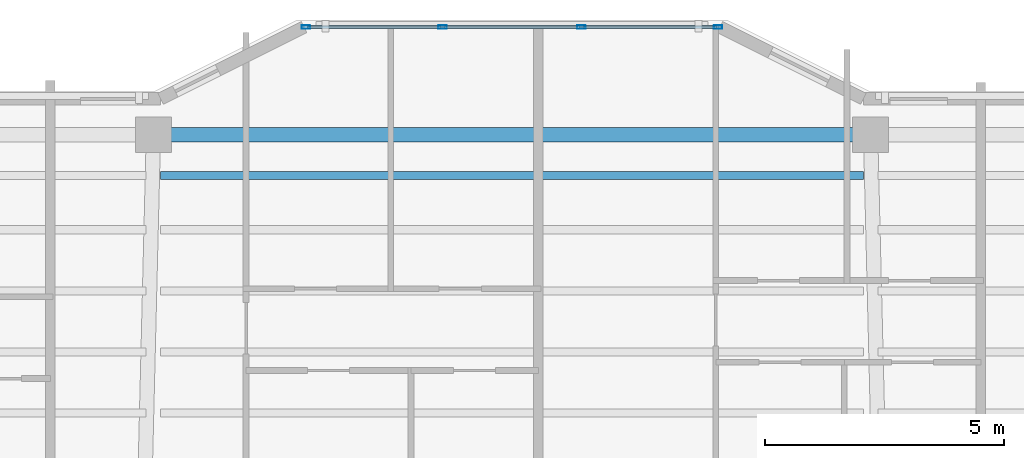
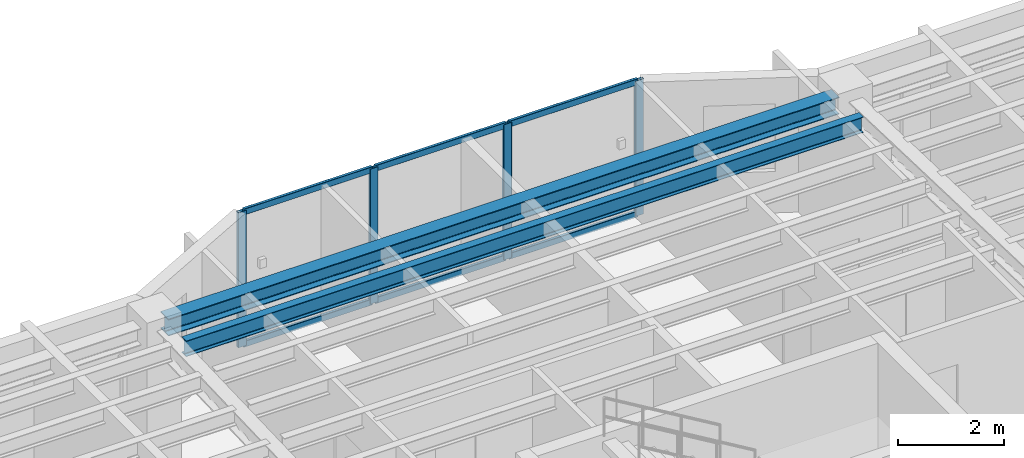
# One storey, part 2 of 12: 10 members, 2 beams, 1 element without a shape of its own.
"""IFC4 building model written with IfcOpenShell, lengths in metres."""

from ifc_helpers import new_model, si_unit, direction, frame, origin, origin_2d, place, context, subcontext, project, spatial, hollow_rectangle, i_section, extrude, material, layer, layer_set, material_profile, profile_set, type_object, element, aggregate, save


model = new_model("IFC4")

# Units and contexts
model_context = context("Model", 3, precision=1e-05, world=origin(), true_north=direction((0.0, 1.0)))
body_context = subcontext(model_context, "Body", "Model", "MODEL_VIEW")
ifc_project = project(units=[si_unit("LENGTHUNIT", "METRE"), si_unit("AREAUNIT", "SQUARE_METRE"), si_unit("VOLUMEUNIT", "CUBIC_METRE"), si_unit("PLANEANGLEUNIT", "RADIAN"), si_unit("MASSUNIT", "GRAM", prefix="KILO")], contexts=[model_context])

# Site, building, storey
site_placement = place(None, origin())
site = spatial("IfcSite", under=ifc_project, at=site_placement, CompositionType="ELEMENT")
building_placement = place(site_placement, origin())
building = spatial("IfcBuilding", under=site, at=building_placement, Name="Tarnavaz Court Tower", CompositionType="ELEMENT")
storey_placement = place(building_placement, frame((0.0, 0.0, 220.39990234375)))
storey = spatial("IfcBuildingStorey", under=building, at=storey_placement, Name="L60", CompositionType="ELEMENT", Elevation=220.39990234375)

# Beams
ifc_material_1 = material(Name="Steel S355", Category="steel")
ifc_material_profile_1 = material_profile(ifc_material_1, i_section(OverallWidth=0.169921875, OverallDepth=0.360107421875, WebThickness=0.008056640625, FlangeThickness=0.0126953125, FilletRadius=0.01806640625, at=origin_2d()), Name="IPE 360")
ifc_profile_set_1 = profile_set([ifc_material_profile_1], Name="Steel S355")
beam_type_1 = type_object("IfcBeamType", Name="BM-J-IPE360", PredefinedType="JOIST", material=ifc_profile_set_1)
beam_1_placement = place(storey_placement, frame((-7.35009765625, 19.248046875, 2.920166015625), z_axis=(1.0, 0.0, 0.0), x_axis=(0.0, 1.0, 0.0)))
element("IfcBeam", 1, at=beam_1_placement, inside=storey, type_object=beam_type_1, Name="L60 Beam JN5-2", PredefinedType="JOIST", context=body_context, shape_type="SweptSolid", body=[
    extrude(i_section(OverallWidth=0.169921875, OverallDepth=0.360107421875, WebThickness=0.008056640625, FlangeThickness=0.0126953125, FilletRadius=0.01806640625, at=origin_2d()), origin(), (0.0, 0.0, 1.0), 14.7001953125),
])
ifc_material_profile_2 = material_profile(ifc_material_1, i_section(OverallWidth=0.300048828125, OverallDepth=0.389892578125, WebThickness=0.010986328125, FlangeThickness=0.01904296875, FilletRadius=0.027099609375, at=origin_2d()), Name="HEA 400")
ifc_profile_set_2 = profile_set([ifc_material_profile_2], Name="Steel S355")
beam_type_2 = type_object("IfcBeamType", Name="BM-SP-HEA400", PredefinedType="BEAM", material=ifc_profile_set_2)
beam_2_placement = place(storey_placement, frame((-7.280029296875, 20.10009765625, 2.905029296875), z_axis=(1.0, 0.0, 0.0), x_axis=(0.0, 1.0, 0.0)))
element("IfcBeam", 2, at=beam_2_placement, inside=storey, type_object=beam_type_2, Name="L60 Beam PR-PN-2-PN-3", PredefinedType="BEAM", context=body_context, shape_type="SweptSolid", body=[
    extrude(i_section(OverallWidth=0.300048828125, OverallDepth=0.389892578125, WebThickness=0.010986328125, FlangeThickness=0.01904296875, FilletRadius=0.027099609375, at=origin_2d()), origin(), (0.0, 0.0, 1.0), 14.56005859375),
])

# Curtain wall, members
ifc_material_2 = material(Name="Anodised Aluminium 6063-T6 and Solar Low-E Glazing", Category="aluminium")
ifc_layer = layer(ifc_material_2, 0.159912109375)
ifc_layer_set = layer_set([ifc_layer], Name="Anodised Aluminium 6063-T6 and Solar Low-E Glazing")
curtain_wall_type = type_object("IfcCurtainWallType", Name="CW-SYS-03", PredefinedType="NOTDEFINED", material=ifc_layer_set)
curtain_wall_placement = place(storey_placement, origin())
curtain_wall = element("IfcCurtainWall", 3, at=curtain_wall_placement, inside=storey, type_object=curtain_wall_type, Name="L60 Iwan Prow Curtain Wall 7", PredefinedType="NOTDEFINED")
ifc_material_3 = material(Name="Anodised Aluminium 6063-T6", Category="aluminium")
ifc_material_profile_3 = material_profile(ifc_material_3, hollow_rectangle(XDim=0.074951171875, YDim=0.179931640625, WallThickness=0.0048828125, InnerFilletRadius=0.0048828125, OuterFilletRadius=0.010009765625, at=origin_2d()), Name="ALU RHS 180X75X5")
ifc_profile_set_3 = profile_set([ifc_material_profile_3], Name="Anodised Aluminium 6063-T6")
member_type_1 = type_object("IfcMemberType", Name="CW-MUL-180", PredefinedType="MULLION", material=ifc_profile_set_3)
member_1_placement = place(storey_placement, frame((-4.3125, 22.35009765625, 0.0), z_axis=(0.0, 0.0, 1.0), x_axis=(0.0, 1.0, 0.0)))
member_1 = element("IfcMember", 4, at=member_1_placement, type_object=member_type_1, Name="CW mullion 1", PredefinedType="MULLION", context=body_context, shape_type="SweptSolid", body=[
    extrude(hollow_rectangle(XDim=0.074951171875, YDim=0.179931640625, WallThickness=0.0048828125, InnerFilletRadius=0.0048828125, OuterFilletRadius=0.010009765625, at=origin_2d()), origin(), (0.0, 0.0, 1.0), 3.10009765625),
])
member_2_placement = place(storey_placement, frame((-1.449951171875, 22.35009765625, 0.0), z_axis=(0.0, 0.0, 1.0), x_axis=(0.0, 1.0, 0.0)))
member_2 = element("IfcMember", 5, at=member_2_placement, type_object=member_type_1, Name="CW mullion 2", PredefinedType="MULLION", context=body_context, shape_type="SweptSolid", body=[
    extrude(hollow_rectangle(XDim=0.074951171875, YDim=0.179931640625, WallThickness=0.0048828125, InnerFilletRadius=0.0048828125, OuterFilletRadius=0.010009765625, at=origin_2d()), origin(), (0.0, 0.0, 1.0), 3.10009765625),
])
member_3_placement = place(storey_placement, frame((1.449951171875, 22.35009765625, 0.0), z_axis=(0.0, 0.0, 1.0), x_axis=(0.0, 1.0, 0.0)))
member_3 = element("IfcMember", 6, at=member_3_placement, type_object=member_type_1, Name="CW mullion 3", PredefinedType="MULLION", context=body_context, shape_type="SweptSolid", body=[
    extrude(hollow_rectangle(XDim=0.074951171875, YDim=0.179931640625, WallThickness=0.0048828125, InnerFilletRadius=0.0048828125, OuterFilletRadius=0.010009765625, at=origin_2d()), origin(), (0.0, 0.0, 1.0), 3.10009765625),
])
member_4_placement = place(storey_placement, frame((4.3125, 22.35009765625, 0.0), z_axis=(0.0, 0.0, 1.0), x_axis=(0.0, 1.0, 0.0)))
member_4 = element("IfcMember", 7, at=member_4_placement, type_object=member_type_1, Name="CW mullion 4", PredefinedType="MULLION", context=body_context, shape_type="SweptSolid", body=[
    extrude(hollow_rectangle(XDim=0.074951171875, YDim=0.179931640625, WallThickness=0.0048828125, InnerFilletRadius=0.0048828125, OuterFilletRadius=0.010009765625, at=origin_2d()), origin(), (0.0, 0.0, 1.0), 3.10009765625),
])
ifc_material_profile_4 = material_profile(ifc_material_3, hollow_rectangle(XDim=0.06494140625, YDim=0.139892578125, WallThickness=0.00390625, InnerFilletRadius=0.00390625, OuterFilletRadius=0.008056640625, at=origin_2d()), Name="ALU RHS 140X65X4")
ifc_profile_set_4 = profile_set([ifc_material_profile_4], Name="Anodised Aluminium 6063-T6")
member_type_2 = type_object("IfcMemberType", Name="CW-TRN-140", PredefinedType="USERDEFINED", material=ifc_profile_set_4)
member_5_placement = place(storey_placement, frame((-4.27490234375, 22.35009765625, 0.03271484375), z_axis=(1.0, 0.0, 0.0), x_axis=(0.0, 1.0, 0.0)))
member_5 = element("IfcMember", 8, at=member_5_placement, type_object=member_type_2, Name="CW transom 1.1", ObjectType="TRANSOM", PredefinedType="USERDEFINED", context=body_context, shape_type="SweptSolid", body=[
    extrude(hollow_rectangle(XDim=0.06494140625, YDim=0.139892578125, WallThickness=0.00390625, InnerFilletRadius=0.00390625, OuterFilletRadius=0.008056640625, at=origin_2d()), origin(), (0.0, 0.0, 1.0), 2.787353515625),
])
member_6_placement = place(storey_placement, frame((-4.27490234375, 22.35009765625, 3.067626953125), z_axis=(1.0, 0.0, 0.0), x_axis=(0.0, 1.0, 0.0)))
member_6 = element("IfcMember", 9, at=member_6_placement, type_object=member_type_2, Name="CW transom 1.2", ObjectType="TRANSOM", PredefinedType="USERDEFINED", context=body_context, shape_type="SweptSolid", body=[
    extrude(hollow_rectangle(XDim=0.06494140625, YDim=0.139892578125, WallThickness=0.00390625, InnerFilletRadius=0.00390625, OuterFilletRadius=0.008056640625, at=origin_2d()), origin(), (0.0, 0.0, 1.0), 2.787353515625),
])
member_7_placement = place(storey_placement, frame((-1.41259765625, 22.35009765625, 0.03271484375), z_axis=(1.0, 0.0, 0.0), x_axis=(0.0, 1.0, 0.0)))
member_7 = element("IfcMember", 10, at=member_7_placement, type_object=member_type_2, Name="CW transom 2.1", ObjectType="TRANSOM", PredefinedType="USERDEFINED", context=body_context, shape_type="SweptSolid", body=[
    extrude(hollow_rectangle(XDim=0.06494140625, YDim=0.139892578125, WallThickness=0.00390625, InnerFilletRadius=0.00390625, OuterFilletRadius=0.008056640625, at=origin_2d()), origin(), (0.0, 0.0, 1.0), 2.8251953125),
])
member_8_placement = place(storey_placement, frame((-1.41259765625, 22.35009765625, 3.067626953125), z_axis=(1.0, 0.0, 0.0), x_axis=(0.0, 1.0, 0.0)))
member_8 = element("IfcMember", 11, at=member_8_placement, type_object=member_type_2, Name="CW transom 2.2", ObjectType="TRANSOM", PredefinedType="USERDEFINED", context=body_context, shape_type="SweptSolid", body=[
    extrude(hollow_rectangle(XDim=0.06494140625, YDim=0.139892578125, WallThickness=0.00390625, InnerFilletRadius=0.00390625, OuterFilletRadius=0.008056640625, at=origin_2d()), origin(), (0.0, 0.0, 1.0), 2.8251953125),
])
member_9_placement = place(storey_placement, frame((1.487548828125, 22.35009765625, 0.03271484375), z_axis=(1.0, 0.0, 0.0), x_axis=(0.0, 1.0, 0.0)))
member_9 = element("IfcMember", 12, at=member_9_placement, type_object=member_type_2, Name="CW transom 3.1", ObjectType="TRANSOM", PredefinedType="USERDEFINED", context=body_context, shape_type="SweptSolid", body=[
    extrude(hollow_rectangle(XDim=0.06494140625, YDim=0.139892578125, WallThickness=0.00390625, InnerFilletRadius=0.00390625, OuterFilletRadius=0.008056640625, at=origin_2d()), origin(), (0.0, 0.0, 1.0), 2.787353515625),
])
member_10_placement = place(storey_placement, frame((1.487548828125, 22.35009765625, 3.067626953125), z_axis=(1.0, 0.0, 0.0), x_axis=(0.0, 1.0, 0.0)))
member_10 = element("IfcMember", 13, at=member_10_placement, type_object=member_type_2, Name="CW transom 3.2", ObjectType="TRANSOM", PredefinedType="USERDEFINED", context=body_context, shape_type="SweptSolid", body=[
    extrude(hollow_rectangle(XDim=0.06494140625, YDim=0.139892578125, WallThickness=0.00390625, InnerFilletRadius=0.00390625, OuterFilletRadius=0.008056640625, at=origin_2d()), origin(), (0.0, 0.0, 1.0), 2.787353515625),
])
aggregate(curtain_wall, [member_1, member_2, member_3, member_4, member_5, member_6, member_7, member_8, member_9, member_10])

save(model, "model.ifc")
